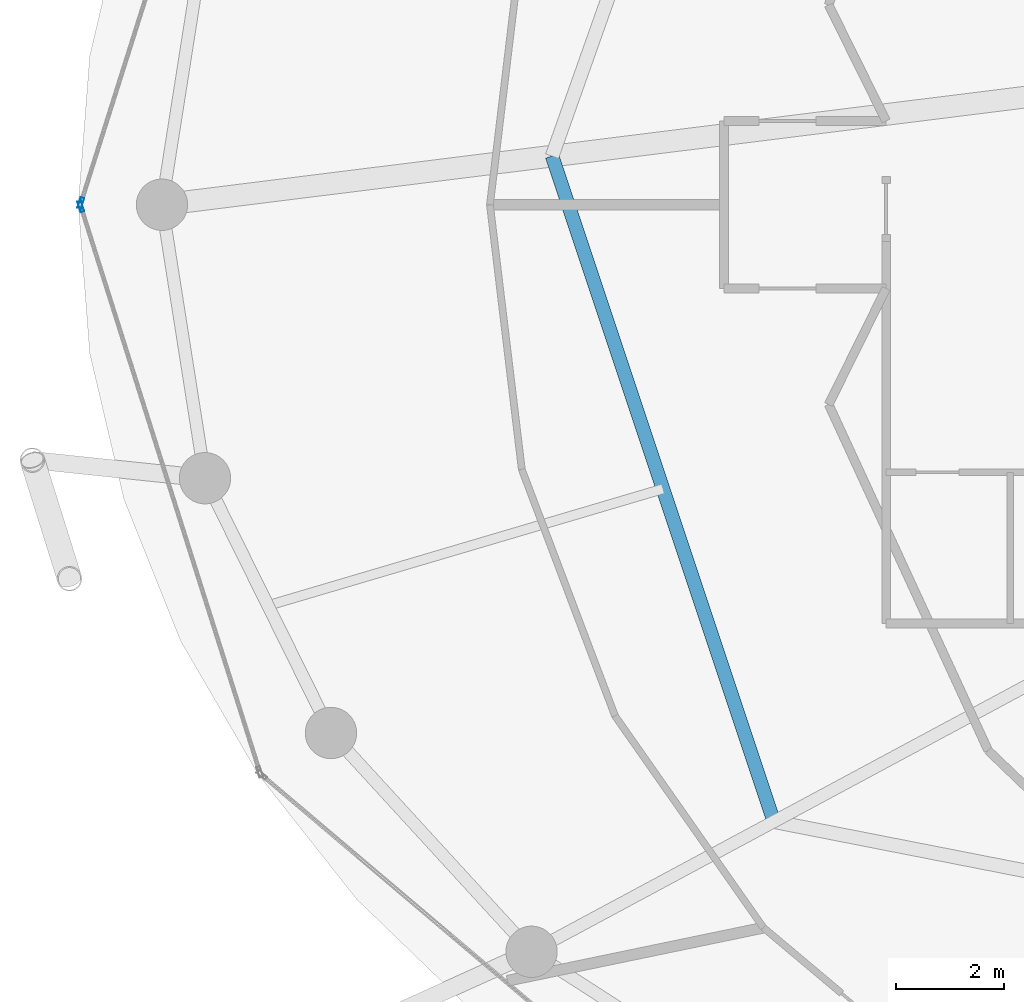
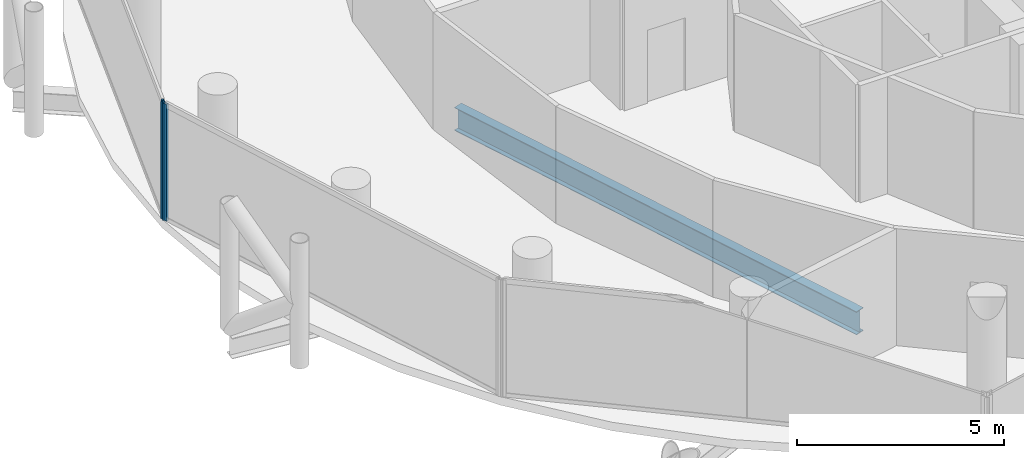
# One storey, part 6 of 26: 2 members, 1 beam, 2 elements without a shape of their own.
"""IFC4 building model written with IfcOpenShell, lengths in metres."""

from ifc_helpers import new_model, si_unit, direction, frame, origin, origin_2d, place, context, subcontext, project, spatial, hollow_rectangle, i_section, extrude, material, layer, layer_set, material_profile, profile_set, type_object, element, aggregate, save


model = new_model("IFC4")

# Units and contexts
model_context = context("Model", 3, precision=1e-05, world=origin(), true_north=direction((0.0, 1.0)))
body_context = subcontext(model_context, "Body", "Model", "MODEL_VIEW")
ifc_project = project(units=[si_unit("LENGTHUNIT", "METRE"), si_unit("AREAUNIT", "SQUARE_METRE"), si_unit("VOLUMEUNIT", "CUBIC_METRE"), si_unit("PLANEANGLEUNIT", "RADIAN"), si_unit("MASSUNIT", "GRAM", prefix="KILO")], contexts=[model_context])

# Site, building, storey
site_placement = place(None, origin())
site = spatial("IfcSite", under=ifc_project, at=site_placement, CompositionType="ELEMENT")
building_placement = place(site_placement, origin())
building = spatial("IfcBuilding", under=site, at=building_placement, Name="Nuhasar Tower", CompositionType="ELEMENT")
storey_placement = place(building_placement, frame((0.0, 0.0, 170.050048828125)))
storey = spatial("IfcBuildingStorey", under=building, at=storey_placement, Name="L41", CompositionType="ELEMENT", Elevation=170.050048828125)

# Beam
ifc_material_1 = material(Name="Steel S355", Category="steel")
ifc_material_profile_1 = material_profile(ifc_material_1, i_section(OverallWidth=0.25390625, OverallDepth=0.68408203125, WebThickness=0.012451171875, FlangeThickness=0.018798828125, at=origin_2d()), Name="W27X94")
ifc_profile_set_1 = profile_set([ifc_material_profile_1], Name="Steel S355")
beam_type = type_object("IfcBeamType", Name="BM-INRING-W27X94", PredefinedType="BEAM", material=ifc_profile_set_1)
beam_placement = place(storey_placement, frame((22.8701171875, 27.699951171875, -0.592041015625), z_axis=(0.31609797573, -0.948726551615, 0.0), x_axis=(0.948726551615, 0.31609797573, 0.0)))
element("IfcBeam", 1, at=beam_placement, inside=storey, type_object=beam_type, Name="L41 Inner Header Beam 08", PredefinedType="BEAM", context=body_context, shape_type="SweptSolid", body=[
    extrude(i_section(OverallWidth=0.25390625, OverallDepth=0.68408203125, WebThickness=0.012451171875, FlangeThickness=0.018798828125, at=origin_2d()), origin(), (0.0, 0.0, 1.0), 12.9794921875),
])

# Curtain wall, member
ifc_material_2 = material(Name="Aluminium 6063-T6", Category="aluminium")
ifc_layer = layer(ifc_material_2, 0.199951171875)
ifc_layer_set = layer_set([ifc_layer], Name="Aluminium 6063-T6")
curtain_wall_type = type_object("IfcCurtainWallType", Name="CW-Z2-HTL", PredefinedType="NOTDEFINED", material=ifc_layer_set)
curtain_wall_1_placement = place(storey_placement, origin())
curtain_wall_1 = element("IfcCurtainWall", 2, at=curtain_wall_1_placement, inside=storey, type_object=curtain_wall_type, Name="L41 Unitised Curtain Wall 06", PredefinedType="NOTDEFINED")
ifc_material_profile_2 = material_profile(ifc_material_2, hollow_rectangle(XDim=0.070068359375, YDim=0.199951171875, WallThickness=0.0048828125, at=origin_2d()), Name="CWM-3")
ifc_profile_set_2 = profile_set([ifc_material_profile_2], Name="Aluminium 6063-T6")
member_type = type_object("IfcMemberType", Name="CW-MUL-S3", PredefinedType="MULLION", material=ifc_profile_set_2)
member_1_placement = place(storey_placement, frame((14.150634765625, 26.833251953125, 0.0), z_axis=(0.0, 0.0, 1.0), x_axis=(0.953433389233, -0.301603667577, 0.0)))
member_1 = element("IfcMember", 3, at=member_1_placement, type_object=member_type, Name="CW-Z2 mullion 2", PredefinedType="MULLION", context=body_context, shape_type="SweptSolid", body=[
    extrude(hollow_rectangle(XDim=0.070068359375, YDim=0.199951171875, WallThickness=0.0048828125, at=origin_2d()), origin(), (0.0, 0.0, 1.0), 3.449951171875),
])
aggregate(curtain_wall_1, [member_1])

curtain_wall_2_placement = place(storey_placement, origin())
curtain_wall_2 = element("IfcCurtainWall", 4, at=curtain_wall_2_placement, inside=storey, type_object=curtain_wall_type, Name="L41 Unitised Curtain Wall 07", PredefinedType="NOTDEFINED")
member_2_placement = place(storey_placement, frame((14.150634765625, 26.7666015625, 0.0), z_axis=(0.0, 0.0, 1.0), x_axis=(0.953433389233, 0.301603667577, 0.0)))
member_2 = element("IfcMember", 5, at=member_2_placement, type_object=member_type, Name="CW-Z2 mullion 1", PredefinedType="MULLION", context=body_context, shape_type="SweptSolid", body=[
    extrude(hollow_rectangle(XDim=0.070068359375, YDim=0.199951171875, WallThickness=0.0048828125, at=origin_2d()), origin(), (0.0, 0.0, 1.0), 3.449951171875),
])
aggregate(curtain_wall_2, [member_2])

save(model, "model.ifc")
